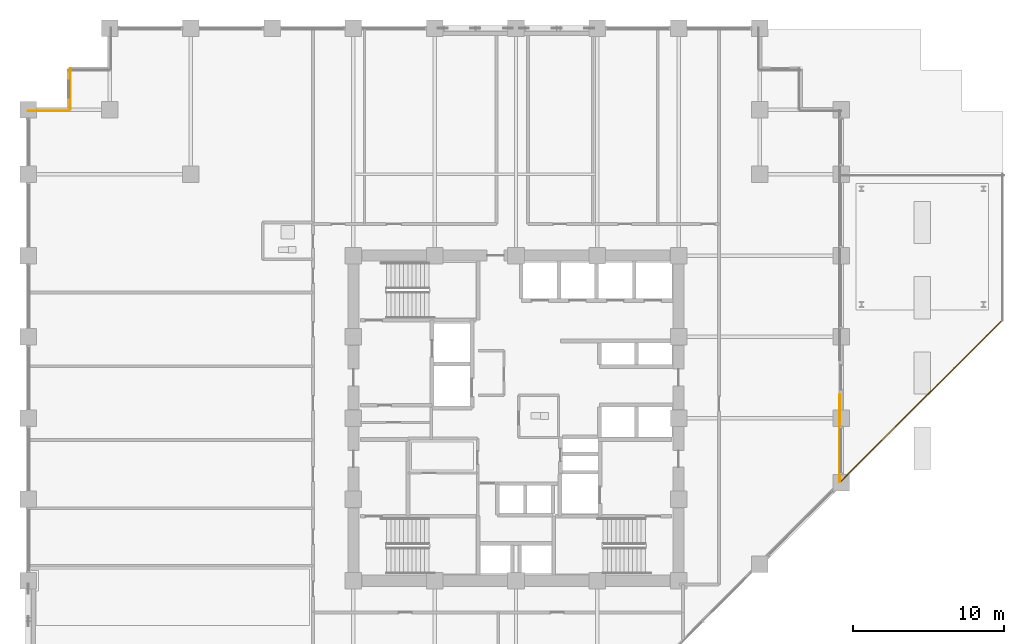
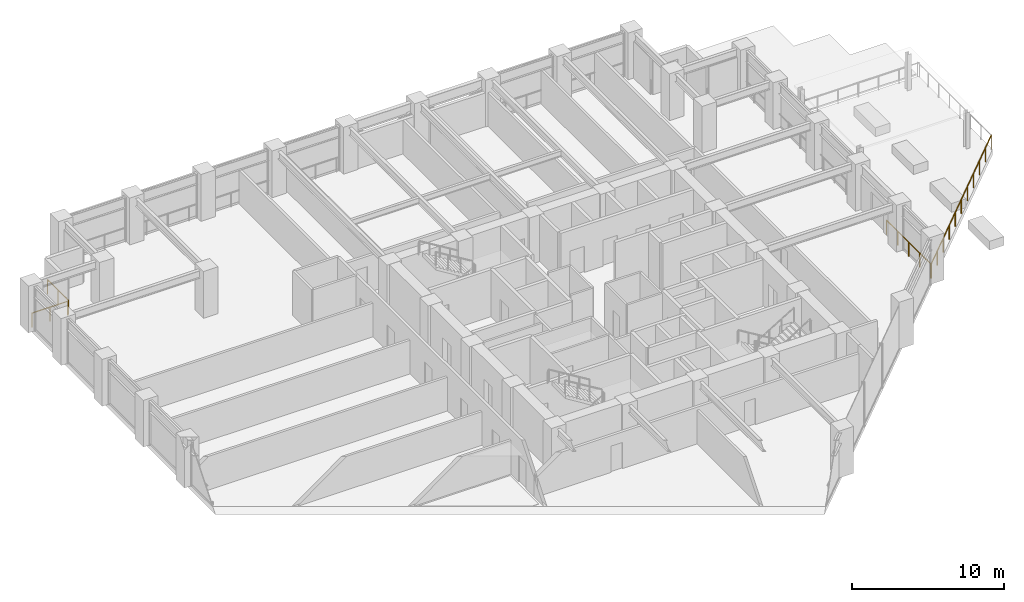
# One storey, part 26 of 30: 4 railings.
"""IFC4 building model written with IfcOpenShell, lengths in metres."""

import ifcopenshell
import ifcopenshell.guid

model = None  # the IFC model being written
_history = None  # IfcOwnerHistory: only IFC2X3 demands one
_inside = {}  # id of a spatial element -> (the spatial element, [elements in it])
_under = {}  # id of a project, library or spatial element -> (it, [spatial elements below it])
_declared = {}  # id of a project -> (the project, [libraries it declares])
_typed = {}  # id of a type object -> (the type object, [elements of that type])
_made_of = {}  # id of a material, layer set ... -> (it, [elements and type objects made of it])


def new_model(schema):
    """Start an empty IFC model of exactly this schema.

    Asked for "IFC4X3", IfcOpenShell would pick the latest addendum, in which some entities
    have other attributes; the version numbers below select the first issue.
    IFC2X3 requires an IfcOwnerHistory on every rooted entity: one is made here for all.
    """
    global model, _history
    if schema == "IFC4X3":
        model = ifcopenshell.file(schema_version=(4, 3, 0, 0))
    else:
        model = ifcopenshell.file(schema=schema)
    _inside.clear()
    _under.clear()
    _declared.clear()
    _typed.clear()
    _made_of.clear()
    _history = None
    if model.schema == "IFC2X3":
        org = make("IfcOrganization", Name="unknown")
        user = make(
            "IfcPersonAndOrganization",
            ThePerson=make("IfcPerson", FamilyName="unknown"),
            TheOrganization=org,
        )
        app = make(
            "IfcApplication",
            ApplicationDeveloper=org,
            Version="unknown",
            ApplicationFullName="unknown",
            ApplicationIdentifier="unknown",
        )
        _history = make(
            "IfcOwnerHistory",
            OwningUser=user,
            OwningApplication=app,
            ChangeAction="ADDED",
            CreationDate=0,
        )
    return model


def make(cls, **values):
    """One entity of the class cls with the attributes given. An attribute that is None is left unset."""
    return model.create_entity(
        cls, **{name: value for name, value in values.items() if value is not None}
    )


def rooted(cls, **values):
    """An entity with a GlobalId (a new one), such as an element, a storey or a relation."""
    return make(cls, GlobalId=ifcopenshell.guid.new(), OwnerHistory=_history, **values)


def si_unit(unit_type, name, prefix=None):
    """IfcSIUnit, for example si_unit("LENGTHUNIT", "METRE", prefix="MILLI")."""
    return make("IfcSIUnit", UnitType=unit_type, Prefix=prefix, Name=name)


def assignment(units):
    """IfcUnitAssignment: the units of a project."""
    return None if units is None else make("IfcUnitAssignment", Units=units)


def point(xyz):
    """IfcCartesianPoint."""
    return None if xyz is None else make("IfcCartesianPoint", Coordinates=xyz)


def direction(xyz):
    """IfcDirection."""
    return None if xyz is None else make("IfcDirection", DirectionRatios=xyz)


def frame(location, z_axis=None, x_axis=None):
    """IfcAxis2Placement3D, a coordinate frame: its origin and axes. An axis left out is left unset."""
    return make(
        "IfcAxis2Placement3D",
        Location=point(location),
        Axis=direction(z_axis),
        RefDirection=direction(x_axis),
    )


def frame_2d(location, x_axis=None):
    """IfcAxis2Placement2D, a coordinate frame in the plane: its origin and x axis."""
    return make(
        "IfcAxis2Placement2D", Location=point(location), RefDirection=direction(x_axis)
    )


def origin():
    """The frame at (0, 0, 0) with its axes left unset."""
    return frame((0.0, 0.0, 0.0))


def origin_2d():
    """The frame at (0, 0) in the plane with its x axis left unset."""
    return frame_2d((0.0, 0.0))


def place(relative_to, where):
    """IfcLocalPlacement: puts the frame where relative to a parent placement (None: the world)."""
    return make(
        "IfcLocalPlacement", PlacementRelTo=relative_to, RelativePlacement=where
    )


def context(
    kind, dimensions, precision=None, world=None, true_north=None, identifier=None
):
    """IfcGeometricRepresentationContext, for example the 3D "Model" context."""
    return make(
        "IfcGeometricRepresentationContext",
        ContextIdentifier=identifier,
        ContextType=kind,
        CoordinateSpaceDimension=dimensions,
        Precision=precision,
        WorldCoordinateSystem=world,
        TrueNorth=true_north,
    )


def subcontext(parent, identifier, kind, view, scale=None):
    """IfcGeometricRepresentationSubContext, for example "Body" below "Model"."""
    return make(
        "IfcGeometricRepresentationSubContext",
        ContextIdentifier=identifier,
        ContextType=kind,
        ParentContext=parent,
        TargetScale=scale,
        TargetView=view,
    )


def project(units=None, contexts=None):
    """IfcProject with its units and contexts."""
    return rooted(
        "IfcProject",
        Name="project",
        RepresentationContexts=contexts,
        UnitsInContext=assignment(units),
    )


def spatial(cls, under=None, at=None, **own):
    """A site, building, storey or space (cls), placed at a placement, below another one or the project."""
    s = rooted(cls, ObjectPlacement=at, **own)
    if under is not None:
        _under.setdefault(under.id(), (under, []))[1].append(s)
    return s


def profile(cls, at=None, kind="AREA", **sizes):
    """A parametric profile (cls). Its sizes go by their IFC names, for example OverallWidth=200.0."""
    return make(cls, ProfileType=kind, Position=at, **sizes)


def circle(**sizes):
    """IfcCircleProfileDef."""
    return profile("IfcCircleProfileDef", **sizes)


def extrude(swept, where, along, depth):
    """IfcExtrudedAreaSolid: the profile swept, set in the frame where, extruded along a direction by depth."""
    return make(
        "IfcExtrudedAreaSolid",
        SweptArea=swept,
        Position=where,
        ExtrudedDirection=direction(along),
        Depth=depth,
    )


def shape(context_of_items, identifier, shape_type, items):
    """IfcShapeRepresentation: the items that make up one representation, for example the "Body"."""
    return make(
        "IfcShapeRepresentation",
        ContextOfItems=context_of_items,
        RepresentationIdentifier=identifier,
        RepresentationType=shape_type,
        Items=items,
    )


def material(Name=None, Category=None):
    """IfcMaterial."""
    return make("IfcMaterial", Name=Name, Category=Category)


def made_of(thing, what):
    """Note that an element or type object is made of a material, layer set ...; save() writes the relation."""
    if what is not None:
        _made_of.setdefault(what.id(), (what, []))[1].append(thing)
    return thing


def type_object(cls, material=None, **own):
    """A type object (cls), such as IfcWallType, which elements share."""
    return made_of(rooted(cls, **own), material)


def element(
    cls,
    number,
    at=None,
    inside=None,
    cuts=None,
    type_object=None,
    material=None,
    context=None,
    identifier="Body",
    shape_type=None,
    held_by="IfcProductDefinitionShape",
    body=None,
    shapes=None,
    **own,
):
    """One element of the class cls, such as IfcWall. Its Tag is "e" and its number.

    at: its placement. inside: the storey or other place that contains it. cuts: it is an
    opening in that element (IfcRelVoidsElement). A single representation is given by context,
    identifier, shape_type and body (its items); several are given by shapes. held_by: the class
    of the entity that holds the representations. save() writes the other relations.
    """
    e = rooted(cls, Tag="e%d" % number, ObjectPlacement=at, **own)
    if body is not None:
        shapes = [shape(context, identifier, shape_type, body)]
    if shapes is not None:
        e.Representation = make(held_by, Representations=shapes)
    if inside is not None:
        _inside.setdefault(inside.id(), (inside, []))[1].append(e)
    if cuts is not None:
        rooted(
            "IfcRelVoidsElement", RelatingBuildingElement=cuts, RelatedOpeningElement=e
        )
    if type_object is not None:
        _typed.setdefault(type_object.id(), (type_object, []))[1].append(e)
    return made_of(e, material)


def aggregate(whole, parts):
    """IfcRelAggregates: a whole, such as a stair, and the parts it consists of."""
    return rooted("IfcRelAggregates", RelatingObject=whole, RelatedObjects=parts)


def save(model, path):
    """Write the relations noted so far, then the file.

    IfcRelAggregates (storeys below a building ...), IfcRelContainedInSpatialStructure (elements
    in a storey), IfcRelDefinesByType, IfcRelAssociatesMaterial and IfcRelDeclares: one each for
    every whole, place, type object, material and project.
    """
    for whole, parts in _under.values():
        aggregate(whole, parts)
    for where, things in _inside.values():
        rooted(
            "IfcRelContainedInSpatialStructure",
            RelatedElements=things,
            RelatingStructure=where,
        )
    for kind, things in _typed.values():
        rooted("IfcRelDefinesByType", RelatedObjects=things, RelatingType=kind)
    for what, things in _made_of.values():
        rooted("IfcRelAssociatesMaterial", RelatedObjects=things, RelatingMaterial=what)
    for by, libraries in _declared.values():
        rooted("IfcRelDeclares", RelatingContext=by, RelatedDefinitions=libraries)
    model.write(path)


model = new_model("IFC4")

# Units and contexts
model_context = context("Model", 3, precision=1e-05, world=origin(), true_north=direction((0.0, 1.0)))
body_context = subcontext(model_context, "Body", "Model", "MODEL_VIEW")
ifc_project = project(units=[si_unit("LENGTHUNIT", "METRE"), si_unit("AREAUNIT", "SQUARE_METRE"), si_unit("VOLUMEUNIT", "CUBIC_METRE"), si_unit("PLANEANGLEUNIT", "RADIAN"), si_unit("MASSUNIT", "GRAM", prefix="KILO")], contexts=[model_context])

# Site, building, storey
site_placement = place(None, origin())
site = spatial("IfcSite", under=ifc_project, at=site_placement, CompositionType="ELEMENT")
building_placement = place(site_placement, origin())
building = spatial("IfcBuilding", under=site, at=building_placement, Name="Surkhivell Harbour Commons", CompositionType="ELEMENT")
storey_placement = place(building_placement, frame((0.0, 0.0, 83.25)))
storey = spatial("IfcBuildingStorey", under=building, at=storey_placement, Name="L21", CompositionType="ELEMENT", Elevation=83.25)

# Railings
ifc_material = material(Name="Laminated safety glass and stainless steel S355 balustrade", Category="steel")
railing_type = type_object("IfcRailingType", Name="RAL-BAL-1150", PredefinedType="BALUSTRADE", material=ifc_material)
railing_1_placement = place(storey_placement, frame((21.510009765625, -4.25, 0.0)))
element("IfcRailing", 1, at=railing_1_placement, inside=storey, type_object=railing_type, Name="L21 Perimeter Safety Guard 03A", PredefinedType="BALUSTRADE", context=body_context, shape_type="SweptSolid", body=[
    extrude(circle(Radius=0.02392578125, at=origin_2d()), frame((0.0, 0.0, 1.1259765625), z_axis=(0.0, 1.0, 0.0), x_axis=(-1.0, 0.0, 0.0)), (0.0, 0.0, 1.0), 5.800048828125),
    extrude(circle(Radius=0.02099609375, at=origin_2d()), origin(), (0.0, 0.0, 1.0), 1.101806640625),
    extrude(circle(Radius=0.02099609375, at=origin_2d()), frame((0.0, 1.449951171875, 0.0)), (0.0, 0.0, 1.0), 1.101806640625),
    extrude(circle(Radius=0.02099609375, at=origin_2d()), frame((0.0, 2.89990234375, 0.0)), (0.0, 0.0, 1.0), 1.101806640625),
    extrude(circle(Radius=0.02099609375, at=origin_2d()), frame((0.0, 4.35009765625, 0.0)), (0.0, 0.0, 1.0), 1.101806640625),
    extrude(circle(Radius=0.02099609375, at=origin_2d()), frame((0.0, 5.800048828125, 0.0)), (0.0, 0.0, 1.0), 1.101806640625),
])
railing_2_placement = place(storey_placement, frame((-29.610107421875, 23.199951171875, 0.0)))
element("IfcRailing", 2, at=railing_2_placement, inside=storey, type_object=railing_type, Name="L21 Perimeter Safety Guard 11", PredefinedType="BALUSTRADE", context=body_context, shape_type="SweptSolid", body=[
    extrude(circle(Radius=0.02392578125, at=origin_2d()), frame((0.0, 0.0, 1.1259765625), z_axis=(0.0, -1.0, 0.0), x_axis=(1.0, 0.0, 0.0)), (0.0, 0.0, 1.0), 2.699951171875),
    extrude(circle(Radius=0.02099609375, at=origin_2d()), origin(), (0.0, 0.0, 1.0), 1.101806640625),
    extrude(circle(Radius=0.02099609375, at=origin_2d()), frame((0.0, -1.35009765625, 0.0)), (0.0, 0.0, 1.0), 1.101806640625),
    extrude(circle(Radius=0.02099609375, at=origin_2d()), frame((0.0, -2.699951171875, 0.0)), (0.0, 0.0, 1.0), 1.101806640625),
])
railing_3_placement = place(storey_placement, frame((-29.699951171875, 20.409912109375, 0.0)))
element("IfcRailing", 3, at=railing_3_placement, inside=storey, type_object=railing_type, Name="L21 Perimeter Safety Guard 12", PredefinedType="BALUSTRADE", context=body_context, shape_type="SweptSolid", body=[
    extrude(circle(Radius=0.02392578125, at=origin_2d()), frame((0.0, 0.0, 1.1259765625), z_axis=(-1.0, 0.0, 0.0), x_axis=(0.0, -1.0, 0.0)), (0.0, 0.0, 1.0), 2.699951171875),
    extrude(circle(Radius=0.02099609375, at=origin_2d()), origin(), (0.0, 0.0, 1.0), 1.101806640625),
    extrude(circle(Radius=0.02099609375, at=origin_2d()), frame((-1.35009765625, 0.0, 0.0)), (0.0, 0.0, 1.0), 1.101806640625),
    extrude(circle(Radius=0.02099609375, at=origin_2d()), frame((-2.699951171875, 0.0, 0.0)), (0.0, 0.0, 1.0), 1.101806640625),
])
railing_4_placement = place(storey_placement, frame((21.54345703125, -4.243408203125, 0.0)))
element("IfcRailing", 4, at=railing_4_placement, inside=storey, type_object=railing_type, Name="L21 Sky-Garden Terrace Balustrade 1", PredefinedType="BALUSTRADE", context=body_context, shape_type="SweptSolid", body=[
    extrude(circle(Radius=0.02392578125, at=origin_2d()), frame((0.0, 0.0, 1.1259765625), z_axis=(0.707106781187, 0.707106781187, 0.0), x_axis=(-0.707106781187, 0.707106781187, 0.0)), (0.0, 0.0, 1.0), 15.273681640625),
    extrude(circle(Radius=0.02099609375, at=origin_2d()), origin(), (0.0, 0.0, 1.0), 1.101806640625),
    extrude(circle(Radius=0.02099609375, at=origin_2d()), frame((1.080078125, 1.080078125, 0.0)), (0.0, 0.0, 1.0), 1.101806640625),
    extrude(circle(Radius=0.02099609375, at=origin_2d()), frame((2.159912109375, 2.159912109375, 0.0)), (0.0, 0.0, 1.0), 1.101806640625),
    extrude(circle(Radius=0.02099609375, at=origin_2d()), frame((3.239990234375, 3.239990234375, 0.0)), (0.0, 0.0, 1.0), 1.101806640625),
    extrude(circle(Radius=0.02099609375, at=origin_2d()), frame((4.320068359375, 4.320068359375, 0.0)), (0.0, 0.0, 1.0), 1.101806640625),
    extrude(circle(Radius=0.02099609375, at=origin_2d()), frame((5.39990234375, 5.39990234375, 0.0)), (0.0, 0.0, 1.0), 1.101806640625),
    extrude(circle(Radius=0.02099609375, at=origin_2d()), frame((6.47998046875, 6.47998046875, 0.0)), (0.0, 0.0, 1.0), 1.101806640625),
    extrude(circle(Radius=0.02099609375, at=origin_2d()), frame((7.56005859375, 7.56005859375, 0.0)), (0.0, 0.0, 1.0), 1.101806640625),
    extrude(circle(Radius=0.02099609375, at=origin_2d()), frame((8.64013671875, 8.64013671875, 0.0)), (0.0, 0.0, 1.0), 1.101806640625),
    extrude(circle(Radius=0.02099609375, at=origin_2d()), frame((9.719970703125, 9.719970703125, 0.0)), (0.0, 0.0, 1.0), 1.101806640625),
    extrude(circle(Radius=0.02099609375, at=origin_2d()), frame((10.800048828125, 10.800048828125, 0.0)), (0.0, 0.0, 1.0), 1.101806640625),
])

save(model, "model.ifc")
